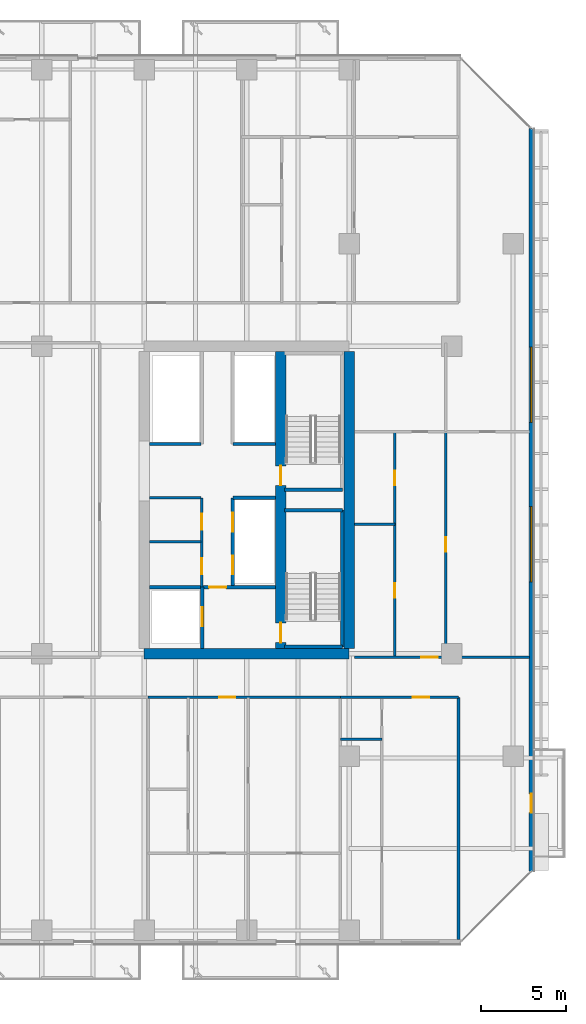
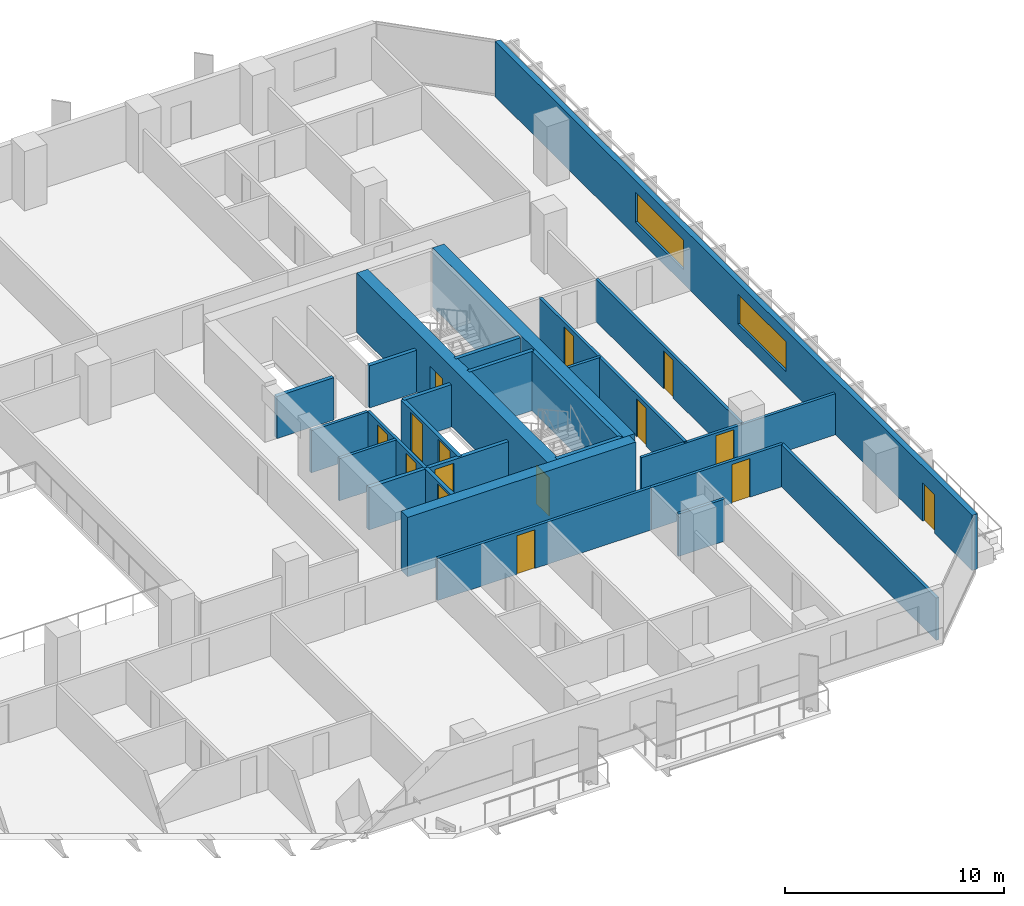
# One storey, part 22 of 33: 25 walls, 15 doors, 2 windows, 17 openings.
"""IFC4 building model written with IfcOpenShell, lengths in metres."""

from ifc_helpers import new_model, si_unit, direction, frame, frame_2d, origin, place, context, subcontext, project, spatial, rectangle, extrude, material, layer, layer_set, type_object, element, fill, save


model = new_model("IFC4")

# Units and contexts
model_context = context("Model", 3, precision=1e-05, world=origin(), true_north=direction((0.0, 1.0)))
body_context = subcontext(model_context, "Body", "Model", "MODEL_VIEW")
ifc_project = project(units=[si_unit("LENGTHUNIT", "METRE"), si_unit("AREAUNIT", "SQUARE_METRE"), si_unit("VOLUMEUNIT", "CUBIC_METRE"), si_unit("PLANEANGLEUNIT", "RADIAN"), si_unit("MASSUNIT", "GRAM", prefix="KILO")], contexts=[model_context])

# Site, building, storey
site_placement = place(None, origin())
site = spatial("IfcSite", under=ifc_project, at=site_placement, CompositionType="ELEMENT")
building_placement = place(site_placement, origin())
building = spatial("IfcBuilding", under=site, at=building_placement, Name="Tanjung Sevakor Pilgrim Tower", CompositionType="ELEMENT")
storey_placement = place(building_placement, frame((0.0, 0.0, 35.639892578125)))
storey = spatial("IfcBuildingStorey", under=building, at=storey_placement, Name="L09", CompositionType="ELEMENT", Elevation=35.639892578125)

# Walls
ifc_material_1 = material(Name="Concrete C60/75", Category="concrete")
ifc_layer_1 = layer(ifc_material_1, 0.60009765625)
ifc_layer_set_1 = layer_set([ifc_layer_1], Name="WALL-CW-600")
wall_type_1 = type_object("IfcWallType", Name="WALL-CW-600", PredefinedType="SHEAR", material=ifc_layer_set_1)
wall_1_placement = place(storey_placement, frame((78.0, 24.60009765625, 0.0), z_axis=(0.0, 0.0, 1.0), x_axis=(1.0, 0.0, 0.0)))
element("IfcWall", 1, at=wall_1_placement, inside=storey, type_object=wall_type_1, Name="L09 E Core South Shear Wall", PredefinedType="SHEAR", context=body_context, shape_type="SweptSolid", body=[
    extrude(rectangle(XDim=12.0, YDim=0.60009765625, at=frame_2d((6.0, 0.0))), origin(), (0.0, 0.0, 1.0), 3.300048828125),
])
wall_2_placement = place(storey_placement, frame((90.0, 24.89990234375, 0.0), z_axis=(0.0, 0.0, 1.0), x_axis=(0.0, 1.0, 0.0)))
element("IfcWall", 2, at=wall_2_placement, inside=storey, type_object=wall_type_1, Name="L09 E Core Outer Shear Wall", PredefinedType="SHEAR", context=body_context, shape_type="SweptSolid", body=[
    extrude(rectangle(XDim=17.400146484375, YDim=0.60009765625, at=frame_2d((8.7001953125, 0.0))), origin(), (0.0, 0.0, 1.0), 3.300048828125),
])

# Wall, openings, doors
wall_3_placement = place(storey_placement, frame((86.0, 24.89990234375, 0.0), z_axis=(0.0, 0.0, 1.0), x_axis=(0.0, 1.0, 0.0)))
wall_3 = element("IfcWall", 3, at=wall_3_placement, inside=storey, type_object=wall_type_1, Name="L09 E Core Stair Spine Wall", PredefinedType="SHEAR", context=body_context, shape_type="SweptSolid", body=[
    extrude(rectangle(XDim=17.400146484375, YDim=0.60009765625, at=frame_2d((8.7001953125, 0.0))), origin(), (0.0, 0.0, 1.0), 3.300048828125),
])
opening_1_placement = place(wall_3_placement, frame((0.35009765625, 0.0, 0.0)))
opening_1 = element("IfcOpeningElement", 4, at=opening_1_placement, cuts=wall_3, Name="Opening ID-ST1", PredefinedType="OPENING", context=body_context, shape_type="SweptSolid", body=[
    extrude(rectangle(XDim=1.14990234375, YDim=2.14990234375, at=frame_2d((0.574951171875, 1.074951171875))), frame((0.0, 0.31005859375, 0.0), z_axis=(0.0, -1.0, 0.0), x_axis=(1.0, 0.0, 0.0)), (0.0, 0.0, 1.0), 0.6201171875),
])
opening_2_placement = place(wall_3_placement, frame((9.550048828125, 0.0, 0.0)))
opening_2 = element("IfcOpeningElement", 5, at=opening_2_placement, cuts=wall_3, Name="Opening ID-ST1", PredefinedType="OPENING", context=body_context, shape_type="SweptSolid", body=[
    extrude(rectangle(XDim=1.14990234375, YDim=2.14990234375, at=frame_2d((0.574951171875, 1.074951171875))), frame((0.0, 0.31005859375, 0.0), z_axis=(0.0, -1.0, 0.0), x_axis=(1.0, 0.0, 0.0)), (0.0, 0.0, 1.0), 0.6201171875),
])
ifc_material_2 = material(Name="Fire-Rated Steel S355J2", Category="steel")
door_type_1 = type_object("IfcDoorType", Name="DT-FIRE-1150", OperationType="NOTDEFINED", PredefinedType="DOOR", material=ifc_material_2)
door_1_placement = place(opening_1_placement, origin())
door_1 = element("IfcDoor", 6, at=door_1_placement, inside=storey, type_object=door_type_1, Name="L09 TS-E1 Stair Fire Door", OperationType="SINGLE_SWING_LEFT", OverallHeight=2.14990234375, OverallWidth=1.14990234375, PredefinedType="DOOR", context=body_context, shape_type="SweptSolid", body=[
    extrude(rectangle(XDim=1.14990234375, YDim=2.14990234375, at=frame_2d((0.574951171875, 1.074951171875))), frame((0.0, 0.02490234375, 0.0), z_axis=(0.0, -1.0, 0.0), x_axis=(1.0, 0.0, 0.0)), (0.0, 0.0, 1.0), 0.050048828125),
])
fill(opening_1, door_1)
door_2_placement = place(opening_2_placement, origin())
door_2 = element("IfcDoor", 7, at=door_2_placement, inside=storey, type_object=door_type_1, Name="L09 TS-E2 Stair Fire Door", OperationType="SINGLE_SWING_RIGHT", OverallHeight=2.14990234375, OverallWidth=1.14990234375, PredefinedType="DOOR", context=body_context, shape_type="SweptSolid", body=[
    extrude(rectangle(XDim=1.14990234375, YDim=2.14990234375, at=frame_2d((0.574951171875, 1.074951171875))), frame((0.0, 0.02490234375, 0.0), z_axis=(0.0, -1.0, 0.0), x_axis=(1.0, 0.0, 0.0)), (0.0, 0.0, 1.0), 0.050048828125),
])
fill(opening_2, door_2)

# Walls
ifc_material_3 = material(Name="Concrete C40/50", Category="concrete")
ifc_layer_2 = layer(ifc_material_3, 0.14990234375)
ifc_layer_set_2 = layer_set([ifc_layer_2], Name="WT-COMP-150")
wall_type_2 = type_object("IfcWallType", Name="WT-COMP-150", PredefinedType="SOLIDWALL", material=ifc_layer_set_2)
for number, where, z_axis, x_axis, name in (
    (8, (78.320068359375, 31.14990234375, 0.0), (0.0, 0.0, 1.0), (1.0, 0.0, 0.0), "L09 Partition IW-L09-016"),
    (9, (78.320068359375, 33.719970703125, 0.0), (0.0, 0.0, 1.0), (1.0, 0.0, 0.0), "L09 Partition IW-L09-017"),
):
    element("IfcWall", number, at=place(storey_placement, frame(where, z_axis=z_axis, x_axis=x_axis)), inside=storey, type_object=wall_type_2, Name=name, PredefinedType="SOLIDWALL", context=body_context, shape_type="SweptSolid", body=[
        extrude(rectangle(XDim=3.0, YDim=0.14990234375, at=frame_2d((1.5, 0.0))), origin(), (0.0, 0.0, 1.0), 2.35009765625),
    ])

# Wall, openings, doors
wall_4_placement = place(storey_placement, frame((81.3798828125, 28.5, 0.0), z_axis=(0.0, 0.0, 1.0), x_axis=(0.0, 1.0, 0.0)))
wall_4 = element("IfcWall", 10, at=wall_4_placement, inside=storey, type_object=wall_type_2, Name="L09 Partition IW-L09-018", PredefinedType="SOLIDWALL", context=body_context, shape_type="SweptSolid", body=[
    extrude(rectangle(XDim=5.219970703125, YDim=0.14990234375, at=frame_2d((2.60986328125, 0.0))), origin(), (0.0, 0.0, 1.0), 2.35009765625),
])
opening_3_placement = place(wall_4_placement, frame((0.75, 0.0, 0.0)))
opening_3 = element("IfcOpeningElement", 11, at=opening_3_placement, cuts=wall_4, Name="Opening ID-FD2", PredefinedType="OPENING", context=body_context, shape_type="SweptSolid", body=[
    extrude(rectangle(XDim=0.949951171875, YDim=2.14990234375, at=frame_2d((0.47509765625, 1.074951171875))), frame((0.0, 0.0849609375, 0.0), z_axis=(0.0, -1.0, 0.0), x_axis=(1.0, 0.0, 0.0)), (0.0, 0.0, 1.0), 0.169921875),
])
opening_4_placement = place(wall_4_placement, frame((3.35009765625, 0.0, 0.0)))
opening_4 = element("IfcOpeningElement", 12, at=opening_4_placement, cuts=wall_4, Name="Opening ID-FD2", PredefinedType="OPENING", context=body_context, shape_type="SweptSolid", body=[
    extrude(rectangle(XDim=0.949951171875, YDim=2.14990234375, at=frame_2d((0.47509765625, 1.074951171875))), frame((0.0, 0.0849609375, 0.0), z_axis=(0.0, -1.0, 0.0), x_axis=(1.0, 0.0, 0.0)), (0.0, 0.0, 1.0), 0.169921875),
])
ifc_material_4 = material(Name="Fire-Rated Timber", Category="wood")
door_type_2 = type_object("IfcDoorType", Name="DT-FIRE-950", OperationType="NOTDEFINED", PredefinedType="DOOR", material=ifc_material_4)
door_3_placement = place(opening_3_placement, origin())
door_3 = element("IfcDoor", 13, at=door_3_placement, inside=storey, type_object=door_type_2, Name="L09 Accessible WC Door", OperationType="SINGLE_SWING_RIGHT", OverallHeight=2.14990234375, OverallWidth=0.949951171875, PredefinedType="DOOR", context=body_context, shape_type="SweptSolid", body=[
    extrude(rectangle(XDim=0.949951171875, YDim=2.14990234375, at=frame_2d((0.47509765625, 1.074951171875))), frame((0.0, 0.02490234375, 0.0), z_axis=(0.0, -1.0, 0.0), x_axis=(1.0, 0.0, 0.0)), (0.0, 0.0, 1.0), 0.050048828125),
])
fill(opening_3, door_3)
door_4_placement = place(opening_4_placement, origin())
door_4 = element("IfcDoor", 14, at=door_4_placement, inside=storey, type_object=door_type_2, Name="L09 Core Service Door", OperationType="SINGLE_SWING_LEFT", OverallHeight=2.14990234375, OverallWidth=0.949951171875, PredefinedType="DOOR", context=body_context, shape_type="SweptSolid", body=[
    extrude(rectangle(XDim=0.949951171875, YDim=2.14990234375, at=frame_2d((0.47509765625, 1.074951171875))), frame((0.0, 0.02490234375, 0.0), z_axis=(0.0, -1.0, 0.0), x_axis=(1.0, 0.0, 0.0)), (0.0, 0.0, 1.0), 0.050048828125),
])
fill(opening_4, door_4)

# Wall, opening, door
wall_5_placement = place(storey_placement, frame((90.320068359375, 24.39990234375, 0.0), z_axis=(0.0, 0.0, 1.0), x_axis=(1.0, 0.0, 0.0)))
wall_5 = element("IfcWall", 15, at=wall_5_placement, inside=storey, type_object=wall_type_2, Name="L09 Partition IW-L09-037", PredefinedType="SOLIDWALL", context=body_context, shape_type="SweptSolid", body=[
    extrude(rectangle(XDim=10.239990234375, YDim=0.14990234375, at=frame_2d((5.1201171875, 0.0))), origin(), (0.0, 0.0, 1.0), 2.295166015625),
])
opening_5_placement = place(wall_5_placement, frame((3.91259765625, 0.0, 0.0)))
opening_5 = element("IfcOpeningElement", 16, at=opening_5_placement, cuts=wall_5, Name="Opening ID-FD2", PredefinedType="OPENING", context=body_context, shape_type="SweptSolid", body=[
    extrude(rectangle(XDim=0.949951171875, YDim=2.14990234375, at=frame_2d((0.47509765625, 1.074951171875))), frame((0.0, 0.0849609375, 0.0), z_axis=(0.0, -1.0, 0.0), x_axis=(1.0, 0.0, 0.0)), (0.0, 0.0, 1.0), 0.169921875),
])
door_5_placement = place(opening_5_placement, origin())
door_5 = element("IfcDoor", 17, at=door_5_placement, inside=storey, type_object=door_type_2, Name="Suite Entrance", OperationType="SINGLE_SWING_RIGHT", OverallHeight=2.14990234375, OverallWidth=0.949951171875, PredefinedType="DOOR", context=body_context, shape_type="SweptSolid", body=[
    extrude(rectangle(XDim=0.949951171875, YDim=2.14990234375, at=frame_2d((0.47509765625, 1.074951171875))), frame((0.0, 0.02490234375, 0.0), z_axis=(0.0, -1.0, 0.0), x_axis=(1.0, 0.0, 0.0)), (0.0, 0.0, 1.0), 0.050048828125),
])
fill(opening_5, door_5)

# Wall
wall_6_placement = place(storey_placement, frame((96.39990234375, 7.8798828125, 0.0), z_axis=(0.0, 0.0, 1.0), x_axis=(0.0, 1.0, 0.0)))
element("IfcWall", 18, at=wall_6_placement, inside=storey, type_object=wall_type_2, Name="L09 Partition IW-L09-058", PredefinedType="SOLIDWALL", context=body_context, shape_type="SweptSolid", body=[
    extrude(rectangle(XDim=14.170166015625, YDim=0.14990234375, at=frame_2d((7.0849609375, 0.0))), origin(), (0.0, 0.0, 1.0), 2.35009765625),
])

# Wall, opening, door
wall_7_placement = place(storey_placement, frame((78.227294921875, 22.050048828125, 0.0), z_axis=(0.0, 0.0, 1.0), x_axis=(1.0, 0.0, 0.0)))
wall_7 = element("IfcWall", 19, at=wall_7_placement, inside=storey, type_object=wall_type_2, Name="L09 Partition IW-L09-075", PredefinedType="SOLIDWALL", context=body_context, shape_type="SweptSolid", body=[
    extrude(rectangle(XDim=11.261962890625, YDim=0.14990234375, at=frame_2d((5.630859375, 0.0))), origin(), (0.0, 0.0, 1.0), 2.35009765625),
])
opening_6_placement = place(wall_7_placement, frame((4.16796875, 0.0, 0.0)))
opening_6 = element("IfcOpeningElement", 20, at=opening_6_placement, cuts=wall_7, Name="Opening ID-FD2", PredefinedType="OPENING", context=body_context, shape_type="SweptSolid", body=[
    extrude(rectangle(XDim=0.949951171875, YDim=2.14990234375, at=frame_2d((0.47509765625, 1.074951171875))), frame((0.0, 0.0849609375, 0.0), z_axis=(0.0, -1.0, 0.0), x_axis=(1.0, 0.0, 0.0)), (0.0, 0.0, 1.0), 0.169921875),
])
door_6_placement = place(opening_6_placement, origin())
door_6 = element("IfcDoor", 21, at=door_6_placement, inside=storey, type_object=door_type_2, Name="Suite Entrance", OperationType="SINGLE_SWING_RIGHT", OverallHeight=2.14990234375, OverallWidth=0.949951171875, PredefinedType="DOOR", context=body_context, shape_type="SweptSolid", body=[
    extrude(rectangle(XDim=0.949951171875, YDim=2.14990234375, at=frame_2d((0.47509765625, 1.074951171875))), frame((0.0, 0.02490234375, 0.0), z_axis=(0.0, -1.0, 0.0), x_axis=(1.0, 0.0, 0.0)), (0.0, 0.0, 1.0), 0.050048828125),
])
fill(opening_6, door_6)

wall_8_placement = place(storey_placement, frame((89.4892578125, 22.050048828125, 0.0), z_axis=(0.0, 0.0, 1.0), x_axis=(1.0, 0.0, 0.0)))
wall_8 = element("IfcWall", 22, at=wall_8_placement, inside=storey, type_object=wall_type_2, Name="L09 Partition IW-L09-078", PredefinedType="SOLIDWALL", context=body_context, shape_type="SweptSolid", body=[
    extrude(rectangle(XDim=6.91064453125, YDim=0.14990234375, at=frame_2d((3.455322265625, 0.0))), origin(), (0.0, 0.0, 1.0), 2.35009765625),
])
opening_7_placement = place(wall_8_placement, frame((4.235595703125, 0.0, 0.0)))
opening_7 = element("IfcOpeningElement", 23, at=opening_7_placement, cuts=wall_8, Name="Opening ID-FD2", PredefinedType="OPENING", context=body_context, shape_type="SweptSolid", body=[
    extrude(rectangle(XDim=0.949951171875, YDim=2.14990234375, at=frame_2d((0.47509765625, 1.074951171875))), frame((0.0, 0.0849609375, 0.0), z_axis=(0.0, -1.0, 0.0), x_axis=(1.0, 0.0, 0.0)), (0.0, 0.0, 1.0), 0.169921875),
])
door_7_placement = place(opening_7_placement, origin())
door_7 = element("IfcDoor", 24, at=door_7_placement, inside=storey, type_object=door_type_2, Name="Hostel Quad Entrance", OperationType="SINGLE_SWING_LEFT", OverallHeight=2.14990234375, OverallWidth=0.949951171875, PredefinedType="DOOR", context=body_context, shape_type="SweptSolid", body=[
    extrude(rectangle(XDim=0.949951171875, YDim=2.14990234375, at=frame_2d((0.47509765625, 1.074951171875))), frame((0.0, 0.02490234375, 0.0), z_axis=(0.0, -1.0, 0.0), x_axis=(1.0, 0.0, 0.0)), (0.0, 0.0, 1.0), 0.050048828125),
])
fill(opening_7, door_7)

# Wall, openings, door, windows
ifc_material_5 = material(Name="Precast concrete C45/55", Category="concrete")
ifc_layer_3 = layer(ifc_material_5, 0.280029296875)
ifc_layer_set_3 = layer_set([ifc_layer_3], Name="WT-EW-STN2")
wall_type_3 = type_object("IfcWallType", Name="WT-EW-STN2", PredefinedType="SOLIDWALL", material=ifc_layer_set_3)
wall_9_placement = place(storey_placement, frame((100.659912109375, 11.85791015625, 0.0), z_axis=(0.0, 0.0, 1.0), x_axis=(0.0, 1.0, 0.0)))
wall_9 = element("IfcWall", 25, at=wall_9_placement, inside=storey, type_object=wall_type_3, Name="L09 MAIN Exterior Wall 7", PredefinedType="SOLIDWALL", context=body_context, shape_type="SweptSolid", body=[
    extrude(rectangle(XDim=43.484130859375, YDim=0.280029296875, at=frame_2d((21.7421875, 0.0))), origin(), (0.0, 0.0, 1.0), 3.080078125),
])
opening_8_placement = place(wall_9_placement, frame((3.44189453125, 0.0, 0.0)))
opening_8 = element("IfcOpeningElement", 26, at=opening_8_placement, cuts=wall_9, Name="Opening ED-BAL-1100", PredefinedType="OPENING", context=body_context, shape_type="SweptSolid", body=[
    extrude(rectangle(XDim=1.10009765625, YDim=2.14990234375, at=frame_2d((0.550048828125, 1.074951171875))), frame((0.0, 0.14990234375, 0.0), z_axis=(0.0, -1.0, 0.0), x_axis=(1.0, 0.0, 0.0)), (0.0, 0.0, 1.0), 0.300048828125),
])
opening_9_placement = place(wall_9_placement, frame((16.951904296875, 0.0, 0.780029296875)))
opening_9 = element("IfcOpeningElement", 27, at=opening_9_placement, cuts=wall_9, Name="Opening WN-ENDW-1660", PredefinedType="OPENING", context=body_context, shape_type="SweptSolid", body=[
    extrude(rectangle(XDim=4.39990234375, YDim=1.659912109375, at=frame_2d((2.199951171875, 0.830078125))), frame((0.0, 0.14990234375, 0.0), z_axis=(0.0, -1.0, 0.0), x_axis=(1.0, 0.0, 0.0)), (0.0, 0.0, 1.0), 0.300048828125),
])
opening_10_placement = place(wall_9_placement, frame((26.2919921875, 0.0, 0.780029296875)))
opening_10 = element("IfcOpeningElement", 28, at=opening_10_placement, cuts=wall_9, Name="Opening WN-ENDW-1660", PredefinedType="OPENING", context=body_context, shape_type="SweptSolid", body=[
    extrude(rectangle(XDim=4.39990234375, YDim=1.659912109375, at=frame_2d((2.199951171875, 0.830078125))), frame((0.0, 0.14990234375, 0.0), z_axis=(0.0, -1.0, 0.0), x_axis=(1.0, 0.0, 0.0)), (0.0, 0.0, 1.0), 0.300048828125),
])
ifc_material_6 = material(Name="Anodised Aluminium and Laminated Glass", Category="aluminium")
door_type_3 = type_object("IfcDoorType", Name="DTYP-ED-BAL-1100", OperationType="NOTDEFINED", PredefinedType="DOOR", material=ifc_material_6)
door_8_placement = place(opening_8_placement, frame((1.10009765625, 0.0, 0.0), z_axis=(0.0, 0.0, 1.0), x_axis=(-1.0, 0.0, 0.0)))
door_8 = element("IfcDoor", 29, at=door_8_placement, inside=storey, type_object=door_type_3, Name="L09 East Loggia Door MAIN-E1", OperationType="SINGLE_SWING_RIGHT", OverallHeight=2.14990234375, OverallWidth=1.10009765625, PredefinedType="DOOR", context=body_context, shape_type="SweptSolid", body=[
    extrude(rectangle(XDim=1.10009765625, YDim=2.14990234375, at=frame_2d((0.550048828125, 1.074951171875))), frame((0.0, 0.02490234375, 0.0), z_axis=(0.0, -1.0, 0.0), x_axis=(1.0, 0.0, 0.0)), (0.0, 0.0, 1.0), 0.050048828125),
])
fill(opening_8, door_8)
ifc_material_7 = material(Name="Thermally Broken Aluminium and Low-E Glass", Category="aluminium")
window_type = type_object("IfcWindowType", Name="WTYP-WN-ENDW-1660", PartitioningType="DOUBLE_PANEL_VERTICAL", PredefinedType="WINDOW", material=ifc_material_7)
window_1_placement = place(opening_9_placement, origin())
window_1 = element("IfcWindow", 30, at=window_1_placement, inside=storey, type_object=window_type, Name="L09 Facade Window 01", OverallHeight=1.659912109375, OverallWidth=4.39990234375, PartitioningType="SINGLE_PANEL", PredefinedType="WINDOW", context=body_context, shape_type="SweptSolid", body=[
    extrude(rectangle(XDim=4.39990234375, YDim=1.659912109375, at=frame_2d((2.199951171875, 0.830078125))), frame((0.0, 0.030029296875, 0.0), z_axis=(0.0, -1.0, 0.0), x_axis=(1.0, 0.0, 0.0)), (0.0, 0.0, 1.0), 0.06005859375),
])
fill(opening_9, window_1)
window_2_placement = place(opening_10_placement, origin())
window_2 = element("IfcWindow", 31, at=window_2_placement, inside=storey, type_object=window_type, Name="L09 Facade Window 02", OverallHeight=1.659912109375, OverallWidth=4.39990234375, PartitioningType="SINGLE_PANEL", PredefinedType="WINDOW", context=body_context, shape_type="SweptSolid", body=[
    extrude(rectangle(XDim=4.39990234375, YDim=1.659912109375, at=frame_2d((2.199951171875, 0.830078125))), frame((0.0, 0.030029296875, 0.0), z_axis=(0.0, -1.0, 0.0), x_axis=(1.0, 0.0, 0.0)), (0.0, 0.0, 1.0), 0.06005859375),
])
fill(opening_10, window_2)

# Walls
ifc_material_8 = material(Name="Concrete C40/50", Category="concrete")
ifc_layer_4 = layer(ifc_material_8, 0.199951171875)
ifc_layer_set_4 = layer_set([ifc_layer_4], Name="WT-FIRE-200")
wall_type_4 = type_object("IfcWallType", Name="WT-FIRE-200", PredefinedType="SOLIDWALL", material=ifc_layer_set_4)
wall_10_placement = place(storey_placement, frame((86.199951171875, 25.0, 0.0), z_axis=(0.0, 0.0, 1.0), x_axis=(1.0, 0.0, 0.0)))
element("IfcWall", 32, at=wall_10_placement, inside=storey, type_object=wall_type_4, Name="L09 TS-E1 Shaft Wall 1", PredefinedType="SOLIDWALL", context=body_context, shape_type="SweptSolid", body=[
    extrude(rectangle(XDim=3.400146484375, YDim=0.199951171875, at=frame_2d((1.7001953125, 0.0))), origin(), (0.0, 0.0, 1.0), 3.300048828125),
])
wall_11_placement = place(storey_placement, frame((89.60009765625, 25.0, 0.0), z_axis=(0.0, 0.0, 1.0), x_axis=(0.0, 1.0, 0.0)))
element("IfcWall", 33, at=wall_11_placement, inside=storey, type_object=wall_type_4, Name="L09 TS-E1 Shaft Wall 2", PredefinedType="SOLIDWALL", context=body_context, shape_type="SweptSolid", body=[
    extrude(rectangle(XDim=8.0, YDim=0.199951171875, at=frame_2d((4.0, 0.0))), origin(), (0.0, 0.0, 1.0), 3.300048828125),
])
for number, where, z_axis, x_axis, name in (
    (34, (89.60009765625, 33.0, 0.0), (0.0, 0.0, 1.0), (-1.0, 0.0, 0.0), "L09 TS-E1 Shaft Wall 3"),
    (35, (86.199951171875, 34.199951171875, 0.0), (0.0, 0.0, 1.0), (1.0, 0.0, 0.0), "L09 TS-E2 Shaft Wall 1"),
):
    element("IfcWall", number, at=place(storey_placement, frame(where, z_axis=z_axis, x_axis=x_axis)), inside=storey, type_object=wall_type_4, Name=name, PredefinedType="SOLIDWALL", context=body_context, shape_type="SweptSolid", body=[
        extrude(rectangle(XDim=3.400146484375, YDim=0.199951171875, at=frame_2d((1.7001953125, 0.0))), origin(), (0.0, 0.0, 1.0), 3.300048828125),
    ])

# Wall, opening, door
ifc_material_9 = material(Name="Concrete C40/50", Category="concrete")
ifc_layer_5 = layer(ifc_material_9, 0.199951171875)
ifc_layer_set_5 = layer_set([ifc_layer_5], Name="WT-FPRT-200")
wall_type_5 = type_object("IfcWallType", Name="WT-FPRT-200", PredefinedType="SOLIDWALL", material=ifc_layer_set_5)
wall_12_placement = place(storey_placement, frame((81.39990234375, 24.919921875, 0.0), z_axis=(0.0, 0.0, 1.0), x_axis=(0.0, 1.0, 0.0)))
wall_12 = element("IfcWall", 36, at=wall_12_placement, inside=storey, type_object=wall_type_5, Name="L09 Partition IW-L09-012", PredefinedType="SOLIDWALL", context=body_context, shape_type="SweptSolid", body=[
    extrude(rectangle(XDim=3.580078125, YDim=0.199951171875, at=frame_2d((1.7900390625, 0.0))), origin(), (0.0, 0.0, 1.0), 2.35009765625),
])
opening_11_placement = place(wall_12_placement, frame((1.300048828125, 0.0, 0.0)))
opening_11 = element("IfcOpeningElement", 37, at=opening_11_placement, cuts=wall_12, Name="Opening LD-1100", PredefinedType="OPENING", context=body_context, shape_type="SweptSolid", body=[
    extrude(rectangle(XDim=1.10009765625, YDim=2.199951171875, at=frame_2d((0.550048828125, 1.10009765625))), frame((0.0, 0.10986328125, 0.0), z_axis=(0.0, -1.0, 0.0), x_axis=(1.0, 0.0, 0.0)), (0.0, 0.0, 1.0), 0.219970703125),
])
ifc_material_10 = material(Name="Brushed Stainless Steel S355J2", Category="steel")
door_type_4 = type_object("IfcDoorType", Name="DT-LIFT-1100", OperationType="SLIDING_TO_LEFT", PredefinedType="DOOR", material=ifc_material_10)
door_9_placement = place(opening_11_placement, origin())
door_9 = element("IfcDoor", 38, at=door_9_placement, inside=storey, type_object=door_type_4, Name="LD-FL-E", OperationType="SLIDING_TO_LEFT", OverallHeight=2.199951171875, OverallWidth=1.10009765625, PredefinedType="DOOR", context=body_context, shape_type="SweptSolid", body=[
    extrude(rectangle(XDim=1.10009765625, YDim=2.199951171875, at=frame_2d((0.550048828125, 1.10009765625))), frame((0.0, 0.02490234375, 0.0), z_axis=(0.0, -1.0, 0.0), x_axis=(1.0, 0.0, 0.0)), (0.0, 0.0, 1.0), 0.050048828125),
])
fill(opening_11, door_9)

wall_13_placement = place(storey_placement, frame((78.320068359375, 28.5, 0.0), z_axis=(0.0, 0.0, 1.0), x_axis=(1.0, 0.0, 0.0)))
wall_13 = element("IfcWall", 39, at=wall_13_placement, inside=storey, type_object=wall_type_5, Name="L09 Partition IW-L09-013", PredefinedType="SOLIDWALL", context=body_context, shape_type="SweptSolid", body=[
    extrude(rectangle(XDim=7.35986328125, YDim=0.199951171875, at=frame_2d((3.679931640625, 0.0))), origin(), (0.0, 0.0, 1.0), 2.35009765625),
])
opening_12_placement = place(wall_13_placement, frame((3.47998046875, 0.0, 0.0)))
opening_12 = element("IfcOpeningElement", 40, at=opening_12_placement, cuts=wall_13, Name="Opening ID-FD1", PredefinedType="OPENING", context=body_context, shape_type="SweptSolid", body=[
    extrude(rectangle(XDim=1.0, YDim=2.14990234375, at=frame_2d((0.5, 1.074951171875))), frame((0.0, 0.10986328125, 0.0), z_axis=(0.0, -1.0, 0.0), x_axis=(1.0, 0.0, 0.0)), (0.0, 0.0, 1.0), 0.219970703125),
])
ifc_material_11 = material(Name="Fire-Rated Steel S355J2", Category="steel")
door_type_5 = type_object("IfcDoorType", Name="DT-FIRE-1000", OperationType="NOTDEFINED", PredefinedType="DOOR", material=ifc_material_11)
door_10_placement = place(opening_12_placement, origin())
door_10 = element("IfcDoor", 41, at=door_10_placement, inside=storey, type_object=door_type_5, Name="Fire Lobby Door E", OperationType="SINGLE_SWING_LEFT", OverallHeight=2.14990234375, OverallWidth=1.0, PredefinedType="DOOR", context=body_context, shape_type="SweptSolid", body=[
    extrude(rectangle(XDim=1.0, YDim=2.14990234375, at=frame_2d((0.5, 1.074951171875))), frame((0.0, 0.02490234375, 0.0), z_axis=(0.0, -1.0, 0.0), x_axis=(1.0, 0.0, 0.0)), (0.0, 0.0, 1.0), 0.050048828125),
])
fill(opening_12, door_10)

# Wall
wall_14_placement = place(storey_placement, frame((83.199951171875, 33.719970703125, 0.0), z_axis=(0.0, 0.0, 1.0), x_axis=(1.0, 0.0, 0.0)))
element("IfcWall", 42, at=wall_14_placement, inside=storey, type_object=wall_type_5, Name="L09 Partition IW-L09-014", PredefinedType="SOLIDWALL", context=body_context, shape_type="SweptSolid", body=[
    extrude(rectangle(XDim=2.47998046875, YDim=0.199951171875, at=frame_2d((1.239990234375, 0.0))), origin(), (0.0, 0.0, 1.0), 2.35009765625),
])

# Wall, openings, doors
wall_15_placement = place(storey_placement, frame((83.179931640625, 28.5, 0.0), z_axis=(0.0, 0.0, 1.0), x_axis=(0.0, 1.0, 0.0)))
wall_15 = element("IfcWall", 43, at=wall_15_placement, inside=storey, type_object=wall_type_5, Name="L09 Partition IW-L09-015", PredefinedType="SOLIDWALL", context=body_context, shape_type="SweptSolid", body=[
    extrude(rectangle(XDim=5.219970703125, YDim=0.199951171875, at=frame_2d((2.60986328125, 0.0))), origin(), (0.0, 0.0, 1.0), 2.35009765625),
])
opening_13_placement = place(wall_15_placement, frame((0.75, 0.0, 0.0)))
opening_13 = element("IfcOpeningElement", 44, at=opening_13_placement, cuts=wall_15, Name="Opening LD-1100", PredefinedType="OPENING", context=body_context, shape_type="SweptSolid", body=[
    extrude(rectangle(XDim=1.10009765625, YDim=2.199951171875, at=frame_2d((0.550048828125, 1.10009765625))), frame((0.0, 0.10986328125, 0.0), z_axis=(0.0, -1.0, 0.0), x_axis=(1.0, 0.0, 0.0)), (0.0, 0.0, 1.0), 0.219970703125),
])
opening_14_placement = place(wall_15_placement, frame((3.25, 0.0, 0.0)))
opening_14 = element("IfcOpeningElement", 45, at=opening_14_placement, cuts=wall_15, Name="Opening LD-1100", PredefinedType="OPENING", context=body_context, shape_type="SweptSolid", body=[
    extrude(rectangle(XDim=1.10009765625, YDim=2.199951171875, at=frame_2d((0.550048828125, 1.10009765625))), frame((0.0, 0.10986328125, 0.0), z_axis=(0.0, -1.0, 0.0), x_axis=(1.0, 0.0, 0.0)), (0.0, 0.0, 1.0), 0.219970703125),
])
door_11_placement = place(opening_13_placement, origin())
door_11 = element("IfcDoor", 46, at=door_11_placement, inside=storey, type_object=door_type_4, Name="LD-PLL1-E", OperationType="SLIDING_TO_LEFT", OverallHeight=2.199951171875, OverallWidth=1.10009765625, PredefinedType="DOOR", context=body_context, shape_type="SweptSolid", body=[
    extrude(rectangle(XDim=1.10009765625, YDim=2.199951171875, at=frame_2d((0.550048828125, 1.10009765625))), frame((0.0, 0.02490234375, 0.0), z_axis=(0.0, -1.0, 0.0), x_axis=(1.0, 0.0, 0.0)), (0.0, 0.0, 1.0), 0.050048828125),
])
fill(opening_13, door_11)
door_12_placement = place(opening_14_placement, origin())
door_12 = element("IfcDoor", 47, at=door_12_placement, inside=storey, type_object=door_type_4, Name="LD-PLL2-E", OperationType="SLIDING_TO_RIGHT", OverallHeight=2.199951171875, OverallWidth=1.10009765625, PredefinedType="DOOR", context=body_context, shape_type="SweptSolid", body=[
    extrude(rectangle(XDim=1.10009765625, YDim=2.199951171875, at=frame_2d((0.550048828125, 1.10009765625))), frame((0.0, 0.02490234375, 0.0), z_axis=(0.0, -1.0, 0.0), x_axis=(1.0, 0.0, 0.0)), (0.0, 0.0, 1.0), 0.050048828125),
])
fill(opening_14, door_12)

# Walls
wall_16_placement = place(storey_placement, frame((83.199951171875, 36.8798828125, 0.0), z_axis=(0.0, 0.0, 1.0), x_axis=(1.0, 0.0, 0.0)))
element("IfcWall", 48, at=wall_16_placement, inside=storey, type_object=wall_type_5, Name="L09 Partition IW-L09-019", PredefinedType="SOLIDWALL", context=body_context, shape_type="SweptSolid", body=[
    extrude(rectangle(XDim=2.47998046875, YDim=0.199951171875, at=frame_2d((1.239990234375, 0.0))), origin(), (0.0, 0.0, 1.0), 2.35009765625),
])
wall_17_placement = place(storey_placement, frame((78.320068359375, 36.8798828125, 0.0), z_axis=(0.0, 0.0, 1.0), x_axis=(1.0, 0.0, 0.0)))
element("IfcWall", 49, at=wall_17_placement, inside=storey, type_object=wall_type_5, Name="L09 Partition IW-L09-021", PredefinedType="SOLIDWALL", context=body_context, shape_type="SweptSolid", body=[
    extrude(rectangle(XDim=3.0, YDim=0.199951171875, at=frame_2d((1.5, 0.0))), origin(), (0.0, 0.0, 1.0), 2.35009765625),
])

# Wall, opening, door
ifc_material_12 = material(Name="Gypsum Board Partition", Category="gypsum board")
ifc_layer_6 = layer(ifc_material_12, 0.14990234375)
ifc_layer_set_6 = layer_set([ifc_layer_6], Name="WT-PART-150")
wall_type_6 = type_object("IfcWallType", Name="WT-PART-150", PredefinedType="PARTITIONING", material=ifc_layer_set_6)
wall_18_placement = place(storey_placement, frame((95.644775390625, 24.39990234375, 0.0), z_axis=(0.0, 0.0, 1.0), x_axis=(0.0, 1.0, 0.0)))
wall_18 = element("IfcWall", 50, at=wall_18_placement, inside=storey, type_object=wall_type_6, Name="L09 Partition IW-L09-032", PredefinedType="PARTITIONING", context=body_context, shape_type="SweptSolid", body=[
    extrude(rectangle(XDim=13.2001953125, YDim=0.14990234375, at=frame_2d((6.60009765625, 0.0))), origin(), (0.0, 0.0, 1.0), 2.35009765625),
])
opening_15_placement = place(wall_18_placement, frame((6.175048828125, 0.0, 0.0)))
opening_15 = element("IfcOpeningElement", 51, at=opening_15_placement, cuts=wall_18, Name="Opening ID-WC1", PredefinedType="OPENING", context=body_context, shape_type="SweptSolid", body=[
    extrude(rectangle(XDim=0.85009765625, YDim=2.10009765625, at=frame_2d((0.425048828125, 1.050048828125))), frame((0.0, 0.0849609375, 0.0), z_axis=(0.0, -1.0, 0.0), x_axis=(1.0, 0.0, 0.0)), (0.0, 0.0, 1.0), 0.169921875),
])
ifc_material_13 = material(Name="Moisture-Resistant Timber", Category="wood")
door_type_6 = type_object("IfcDoorType", Name="DT-INT-850", OperationType="NOTDEFINED", PredefinedType="DOOR", material=ifc_material_13)
door_13_placement = place(opening_15_placement, origin())
door_13 = element("IfcDoor", 52, at=door_13_placement, inside=storey, type_object=door_type_6, Name="Suite Study Room Door", OperationType="SINGLE_SWING_LEFT", OverallHeight=2.10009765625, OverallWidth=0.85009765625, PredefinedType="DOOR", context=body_context, shape_type="SweptSolid", body=[
    extrude(rectangle(XDim=0.85009765625, YDim=2.10009765625, at=frame_2d((0.425048828125, 1.050048828125))), frame((0.0, 0.02490234375, 0.0), z_axis=(0.0, -1.0, 0.0), x_axis=(1.0, 0.0, 0.0)), (0.0, 0.0, 1.0), 0.050048828125),
])
fill(opening_15, door_13)

# Wall
wall_19_placement = place(storey_placement, frame((90.320068359375, 32.18798828125, 0.0), z_axis=(0.0, 0.0, 1.0), x_axis=(1.0, 0.0, 0.0)))
element("IfcWall", 53, at=wall_19_placement, inside=storey, type_object=wall_type_6, Name="L09 Partition IW-L09-033", PredefinedType="PARTITIONING", context=body_context, shape_type="SweptSolid", body=[
    extrude(rectangle(XDim=2.349853515625, YDim=0.14990234375, at=frame_2d((1.1748046875, 0.0))), origin(), (0.0, 0.0, 1.0), 2.35009765625),
])

# Wall, openings, doors
wall_20_placement = place(storey_placement, frame((92.669921875, 24.39990234375, 0.0), z_axis=(0.0, 0.0, 1.0), x_axis=(0.0, 1.0, 0.0)))
wall_20 = element("IfcWall", 54, at=wall_20_placement, inside=storey, type_object=wall_type_6, Name="L09 Partition IW-L09-034", PredefinedType="PARTITIONING", context=body_context, shape_type="SweptSolid", body=[
    extrude(rectangle(XDim=13.2001953125, YDim=0.14990234375, at=frame_2d((6.60009765625, 0.0))), origin(), (0.0, 0.0, 1.0), 2.35009765625),
])
opening_16_placement = place(wall_20_placement, frame((3.468994140625, 0.0, 0.0)))
opening_16 = element("IfcOpeningElement", 55, at=opening_16_placement, cuts=wall_20, Name="Opening ID-WC1", PredefinedType="OPENING", context=body_context, shape_type="SweptSolid", body=[
    extrude(rectangle(XDim=0.85009765625, YDim=2.10009765625, at=frame_2d((0.425048828125, 1.050048828125))), frame((0.0, 0.0849609375, 0.0), z_axis=(0.0, -1.0, 0.0), x_axis=(1.0, 0.0, 0.0)), (0.0, 0.0, 1.0), 0.169921875),
])
opening_17_placement = place(wall_20_placement, frame((10.069091796875, 0.0, 0.0)))
opening_17 = element("IfcOpeningElement", 56, at=opening_17_placement, cuts=wall_20, Name="Opening ID-WC1", PredefinedType="OPENING", context=body_context, shape_type="SweptSolid", body=[
    extrude(rectangle(XDim=0.85009765625, YDim=2.10009765625, at=frame_2d((0.425048828125, 1.050048828125))), frame((0.0, 0.0849609375, 0.0), z_axis=(0.0, -1.0, 0.0), x_axis=(1.0, 0.0, 0.0)), (0.0, 0.0, 1.0), 0.169921875),
])
door_14_placement = place(opening_16_placement, origin())
door_14 = element("IfcDoor", 57, at=door_14_placement, inside=storey, type_object=door_type_6, Name="Suite Kitchenette Door", OperationType="SINGLE_SWING_RIGHT", OverallHeight=2.10009765625, OverallWidth=0.85009765625, PredefinedType="DOOR", context=body_context, shape_type="SweptSolid", body=[
    extrude(rectangle(XDim=0.85009765625, YDim=2.10009765625, at=frame_2d((0.425048828125, 1.050048828125))), frame((0.0, 0.02490234375, 0.0), z_axis=(0.0, -1.0, 0.0), x_axis=(1.0, 0.0, 0.0)), (0.0, 0.0, 1.0), 0.050048828125),
])
fill(opening_16, door_14)
door_15_placement = place(opening_17_placement, origin())
door_15 = element("IfcDoor", 58, at=door_15_placement, inside=storey, type_object=door_type_6, Name="Suite Bathroom Door", OperationType="SINGLE_SWING_LEFT", OverallHeight=2.10009765625, OverallWidth=0.85009765625, PredefinedType="DOOR", context=body_context, shape_type="SweptSolid", body=[
    extrude(rectangle(XDim=0.85009765625, YDim=2.10009765625, at=frame_2d((0.425048828125, 1.050048828125))), frame((0.0, 0.02490234375, 0.0), z_axis=(0.0, -1.0, 0.0), x_axis=(1.0, 0.0, 0.0)), (0.0, 0.0, 1.0), 0.050048828125),
])
fill(opening_17, door_15)

# Wall
wall_21_placement = place(storey_placement, frame((89.4892578125, 19.60009765625, 0.0), z_axis=(0.0, 0.0, 1.0), x_axis=(1.0, 0.0, 0.0)))
element("IfcWall", 59, at=wall_21_placement, inside=storey, type_object=wall_type_6, Name="L09 Partition IW-L09-076", PredefinedType="PARTITIONING", context=body_context, shape_type="SweptSolid", body=[
    extrude(rectangle(XDim=2.4306640625, YDim=0.14990234375, at=frame_2d((1.21533203125, 0.0))), origin(), (0.0, 0.0, 1.0), 2.35009765625),
])

save(model, "model.ifc")
